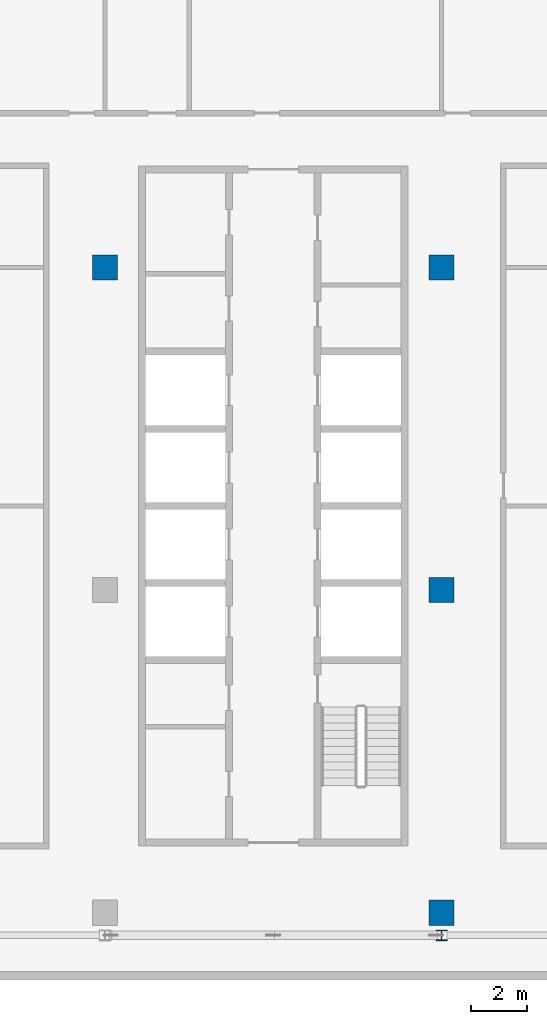
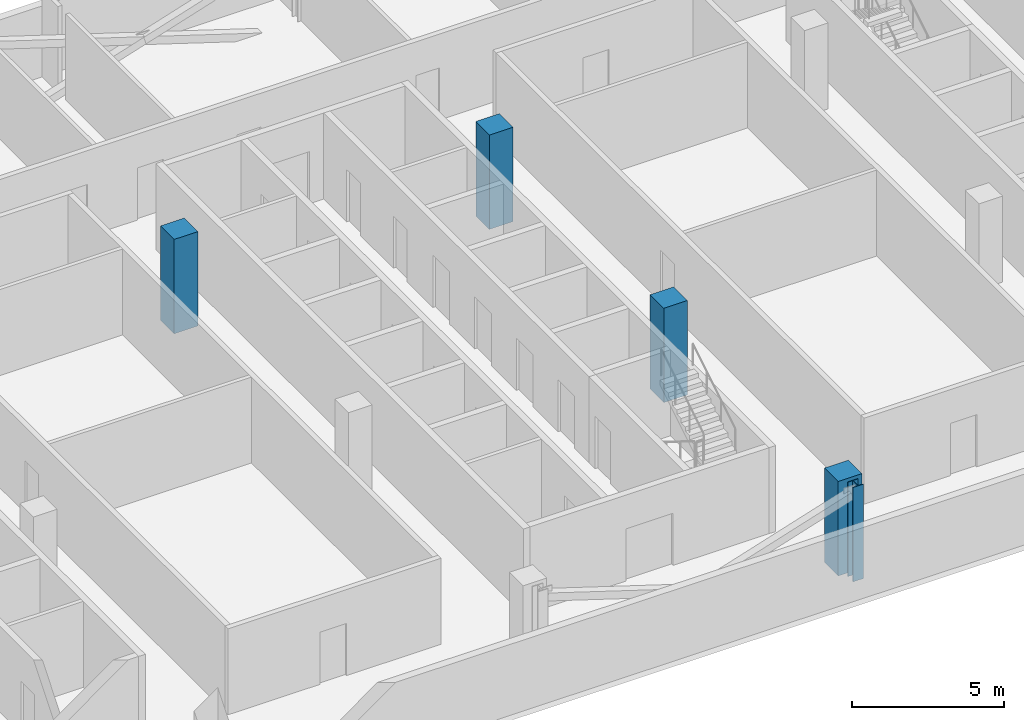
# One storey, part 2 of 28: 5 columns.
"""IFC4 building model written with IfcOpenShell, lengths in metres."""

import ifcopenshell
import ifcopenshell.guid

model = None  # the IFC model being written
_history = None  # IfcOwnerHistory: only IFC2X3 demands one
_inside = {}  # id of a spatial element -> (the spatial element, [elements in it])
_under = {}  # id of a project, library or spatial element -> (it, [spatial elements below it])
_declared = {}  # id of a project -> (the project, [libraries it declares])
_typed = {}  # id of a type object -> (the type object, [elements of that type])
_made_of = {}  # id of a material, layer set ... -> (it, [elements and type objects made of it])


def new_model(schema):
    """Start an empty IFC model of exactly this schema.

    Asked for "IFC4X3", IfcOpenShell would pick the latest addendum, in which some entities
    have other attributes; the version numbers below select the first issue.
    IFC2X3 requires an IfcOwnerHistory on every rooted entity: one is made here for all.
    """
    global model, _history
    if schema == "IFC4X3":
        model = ifcopenshell.file(schema_version=(4, 3, 0, 0))
    else:
        model = ifcopenshell.file(schema=schema)
    _inside.clear()
    _under.clear()
    _declared.clear()
    _typed.clear()
    _made_of.clear()
    _history = None
    if model.schema == "IFC2X3":
        org = make("IfcOrganization", Name="unknown")
        user = make(
            "IfcPersonAndOrganization",
            ThePerson=make("IfcPerson", FamilyName="unknown"),
            TheOrganization=org,
        )
        app = make(
            "IfcApplication",
            ApplicationDeveloper=org,
            Version="unknown",
            ApplicationFullName="unknown",
            ApplicationIdentifier="unknown",
        )
        _history = make(
            "IfcOwnerHistory",
            OwningUser=user,
            OwningApplication=app,
            ChangeAction="ADDED",
            CreationDate=0,
        )
    return model


def make(cls, **values):
    """One entity of the class cls with the attributes given. An attribute that is None is left unset."""
    return model.create_entity(
        cls, **{name: value for name, value in values.items() if value is not None}
    )


def rooted(cls, **values):
    """An entity with a GlobalId (a new one), such as an element, a storey or a relation."""
    return make(cls, GlobalId=ifcopenshell.guid.new(), OwnerHistory=_history, **values)


def si_unit(unit_type, name, prefix=None):
    """IfcSIUnit, for example si_unit("LENGTHUNIT", "METRE", prefix="MILLI")."""
    return make("IfcSIUnit", UnitType=unit_type, Prefix=prefix, Name=name)


def assignment(units):
    """IfcUnitAssignment: the units of a project."""
    return None if units is None else make("IfcUnitAssignment", Units=units)


def point(xyz):
    """IfcCartesianPoint."""
    return None if xyz is None else make("IfcCartesianPoint", Coordinates=xyz)


def direction(xyz):
    """IfcDirection."""
    return None if xyz is None else make("IfcDirection", DirectionRatios=xyz)


def frame(location, z_axis=None, x_axis=None):
    """IfcAxis2Placement3D, a coordinate frame: its origin and axes. An axis left out is left unset."""
    return make(
        "IfcAxis2Placement3D",
        Location=point(location),
        Axis=direction(z_axis),
        RefDirection=direction(x_axis),
    )


def frame_2d(location, x_axis=None):
    """IfcAxis2Placement2D, a coordinate frame in the plane: its origin and x axis."""
    return make(
        "IfcAxis2Placement2D", Location=point(location), RefDirection=direction(x_axis)
    )


def origin():
    """The frame at (0, 0, 0) with its axes left unset."""
    return frame((0.0, 0.0, 0.0))


def origin_2d():
    """The frame at (0, 0) in the plane with its x axis left unset."""
    return frame_2d((0.0, 0.0))


def place(relative_to, where):
    """IfcLocalPlacement: puts the frame where relative to a parent placement (None: the world)."""
    return make(
        "IfcLocalPlacement", PlacementRelTo=relative_to, RelativePlacement=where
    )


def context(
    kind, dimensions, precision=None, world=None, true_north=None, identifier=None
):
    """IfcGeometricRepresentationContext, for example the 3D "Model" context."""
    return make(
        "IfcGeometricRepresentationContext",
        ContextIdentifier=identifier,
        ContextType=kind,
        CoordinateSpaceDimension=dimensions,
        Precision=precision,
        WorldCoordinateSystem=world,
        TrueNorth=true_north,
    )


def subcontext(parent, identifier, kind, view, scale=None):
    """IfcGeometricRepresentationSubContext, for example "Body" below "Model"."""
    return make(
        "IfcGeometricRepresentationSubContext",
        ContextIdentifier=identifier,
        ContextType=kind,
        ParentContext=parent,
        TargetScale=scale,
        TargetView=view,
    )


def project(units=None, contexts=None):
    """IfcProject with its units and contexts."""
    return rooted(
        "IfcProject",
        Name="project",
        RepresentationContexts=contexts,
        UnitsInContext=assignment(units),
    )


def spatial(cls, under=None, at=None, **own):
    """A site, building, storey or space (cls), placed at a placement, below another one or the project."""
    s = rooted(cls, ObjectPlacement=at, **own)
    if under is not None:
        _under.setdefault(under.id(), (under, []))[1].append(s)
    return s


def profile(cls, at=None, kind="AREA", **sizes):
    """A parametric profile (cls). Its sizes go by their IFC names, for example OverallWidth=200.0."""
    return make(cls, ProfileType=kind, Position=at, **sizes)


def rectangle(**sizes):
    """IfcRectangleProfileDef."""
    return profile("IfcRectangleProfileDef", **sizes)


def i_section(**sizes):
    """IfcIShapeProfileDef."""
    return profile("IfcIShapeProfileDef", **sizes)


def extrude(swept, where, along, depth):
    """IfcExtrudedAreaSolid: the profile swept, set in the frame where, extruded along a direction by depth."""
    return make(
        "IfcExtrudedAreaSolid",
        SweptArea=swept,
        Position=where,
        ExtrudedDirection=direction(along),
        Depth=depth,
    )


def shape(context_of_items, identifier, shape_type, items):
    """IfcShapeRepresentation: the items that make up one representation, for example the "Body"."""
    return make(
        "IfcShapeRepresentation",
        ContextOfItems=context_of_items,
        RepresentationIdentifier=identifier,
        RepresentationType=shape_type,
        Items=items,
    )


def material(Name=None, Category=None):
    """IfcMaterial."""
    return make("IfcMaterial", Name=Name, Category=Category)


def material_profile(
    of_material, cross_section, Name=None, Category=None, Priority=None
):
    """IfcMaterialProfile: a cross section and its material."""
    return make(
        "IfcMaterialProfile",
        Name=Name,
        Material=of_material,
        Profile=cross_section,
        Priority=Priority,
        Category=Category,
    )


def profile_set(profiles, Name=None, composite=None):
    """IfcMaterialProfileSet."""
    return make(
        "IfcMaterialProfileSet",
        Name=Name,
        MaterialProfiles=profiles,
        CompositeProfile=composite,
    )


def made_of(thing, what):
    """Note that an element or type object is made of a material, layer set ...; save() writes the relation."""
    if what is not None:
        _made_of.setdefault(what.id(), (what, []))[1].append(thing)
    return thing


def type_object(cls, material=None, **own):
    """A type object (cls), such as IfcWallType, which elements share."""
    return made_of(rooted(cls, **own), material)


def element(
    cls,
    number,
    at=None,
    inside=None,
    cuts=None,
    type_object=None,
    material=None,
    context=None,
    identifier="Body",
    shape_type=None,
    held_by="IfcProductDefinitionShape",
    body=None,
    shapes=None,
    **own,
):
    """One element of the class cls, such as IfcWall. Its Tag is "e" and its number.

    at: its placement. inside: the storey or other place that contains it. cuts: it is an
    opening in that element (IfcRelVoidsElement). A single representation is given by context,
    identifier, shape_type and body (its items); several are given by shapes. held_by: the class
    of the entity that holds the representations. save() writes the other relations.
    """
    e = rooted(cls, Tag="e%d" % number, ObjectPlacement=at, **own)
    if body is not None:
        shapes = [shape(context, identifier, shape_type, body)]
    if shapes is not None:
        e.Representation = make(held_by, Representations=shapes)
    if inside is not None:
        _inside.setdefault(inside.id(), (inside, []))[1].append(e)
    if cuts is not None:
        rooted(
            "IfcRelVoidsElement", RelatingBuildingElement=cuts, RelatedOpeningElement=e
        )
    if type_object is not None:
        _typed.setdefault(type_object.id(), (type_object, []))[1].append(e)
    return made_of(e, material)


def aggregate(whole, parts):
    """IfcRelAggregates: a whole, such as a stair, and the parts it consists of."""
    return rooted("IfcRelAggregates", RelatingObject=whole, RelatedObjects=parts)


def save(model, path):
    """Write the relations noted so far, then the file.

    IfcRelAggregates (storeys below a building ...), IfcRelContainedInSpatialStructure (elements
    in a storey), IfcRelDefinesByType, IfcRelAssociatesMaterial and IfcRelDeclares: one each for
    every whole, place, type object, material and project.
    """
    for whole, parts in _under.values():
        aggregate(whole, parts)
    for where, things in _inside.values():
        rooted(
            "IfcRelContainedInSpatialStructure",
            RelatedElements=things,
            RelatingStructure=where,
        )
    for kind, things in _typed.values():
        rooted("IfcRelDefinesByType", RelatedObjects=things, RelatingType=kind)
    for what, things in _made_of.values():
        rooted("IfcRelAssociatesMaterial", RelatedObjects=things, RelatingMaterial=what)
    for by, libraries in _declared.values():
        rooted("IfcRelDeclares", RelatingContext=by, RelatedDefinitions=libraries)
    model.write(path)


model = new_model("IFC4")

# Units and contexts
model_context = context("Model", 3, precision=1e-05, world=origin(), true_north=direction((0.0, 1.0)))
body_context = subcontext(model_context, "Body", "Model", "MODEL_VIEW")
ifc_project = project(units=[si_unit("LENGTHUNIT", "METRE"), si_unit("AREAUNIT", "SQUARE_METRE"), si_unit("VOLUMEUNIT", "CUBIC_METRE"), si_unit("PLANEANGLEUNIT", "RADIAN"), si_unit("MASSUNIT", "GRAM", prefix="KILO")], contexts=[model_context])

# Site, building, storey
site_placement = place(None, origin())
site = spatial("IfcSite", under=ifc_project, at=site_placement, CompositionType="ELEMENT")
building_placement = place(site_placement, origin())
building = spatial("IfcBuilding", under=site, at=building_placement, Name="Mahtab Terrace Research Tower", CompositionType="ELEMENT")
storey_placement = place(building_placement, frame((0.0, 0.0, 267.10009765625)))
storey = spatial("IfcBuildingStorey", under=building, at=storey_placement, Name="L65", CompositionType="ELEMENT", Elevation=267.10009765625)

# Columns
ifc_material_1 = material(Name="Concrete C70/85", Category="concrete")
ifc_material_profile_1 = material_profile(ifc_material_1, rectangle(XDim=0.89990234375, YDim=0.89990234375, at=origin_2d()), Name="RC column 900x900")
ifc_profile_set_1 = profile_set([ifc_material_profile_1], Name="Concrete C70/85")
column_type_1 = type_object("IfcColumnType", Name="RC column 900x900", PredefinedType="COLUMN", material=ifc_profile_set_1)
for number, where, z_axis, x_axis, name in (
    (1, (-6.0, 11.5, -0.340087890625), (0.0, 0.0, 1.0), (1.0, 0.0, 0.0), "Column RC-4C L65"),
    (2, (6.0, -11.5, -0.340087890625), (0.0, 0.0, 1.0), (1.0, 0.0, 0.0), "Column RC-5A L65"),
    (3, (6.0, 0.0, -0.340087890625), (0.0, 0.0, 1.0), (1.0, 0.0, 0.0), "Column RC-5B L65"),
    (4, (6.0, 11.5, -0.340087890625), (0.0, 0.0, 1.0), (1.0, 0.0, 0.0), "Column RC-5C L65"),
):
    element("IfcColumn", number, at=place(storey_placement, frame(where, z_axis=z_axis, x_axis=x_axis)), inside=storey, type_object=column_type_1, Name=name, PredefinedType="COLUMN", context=body_context, shape_type="SweptSolid", body=[
        extrude(rectangle(XDim=0.89990234375, YDim=0.89990234375, at=origin_2d()), origin(), (0.0, 0.0, 1.0), 3.800048828125),
    ])
ifc_material_2 = material(Name="Steel ASTM A992 Gr 50", Category="steel")
ifc_material_profile_2 = material_profile(ifc_material_2, i_section(OverallWidth=0.393798828125, OverallDepth=0.3759765625, WebThickness=0.017333984375, FlangeThickness=0.027587890625, at=origin_2d()), Name="W14X145")
ifc_profile_set_2 = profile_set([ifc_material_profile_2], Name="Steel ASTM A992 Gr 50")
column_type_2 = type_object("IfcColumnType", Name="W14x145 column CS14145", PredefinedType="COLUMN", material=ifc_profile_set_2)
column_placement = place(storey_placement, frame((6.0, -12.306884765625, -0.340087890625), z_axis=(0.0, 0.0, 1.0), x_axis=(1.0, 0.0, 0.0)))
element("IfcColumn", 5, at=column_placement, inside=storey, type_object=column_type_2, Name="Column SC-085 L65", PredefinedType="COLUMN", context=body_context, shape_type="SweptSolid", body=[
    extrude(i_section(OverallWidth=0.393798828125, OverallDepth=0.3759765625, WebThickness=0.017333984375, FlangeThickness=0.027587890625, at=origin_2d()), origin(), (0.0, 0.0, 1.0), 3.800048828125),
])

save(model, "model.ifc")
